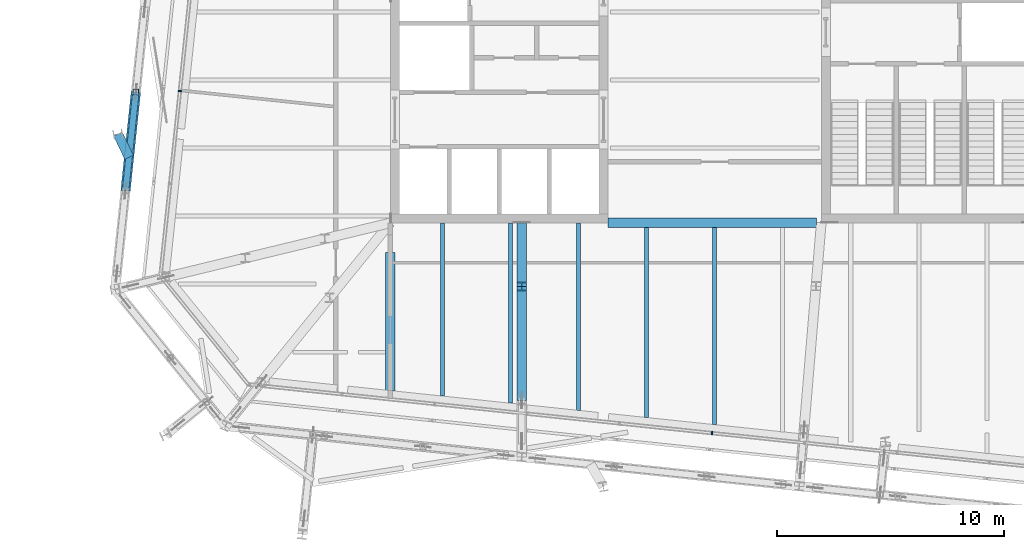
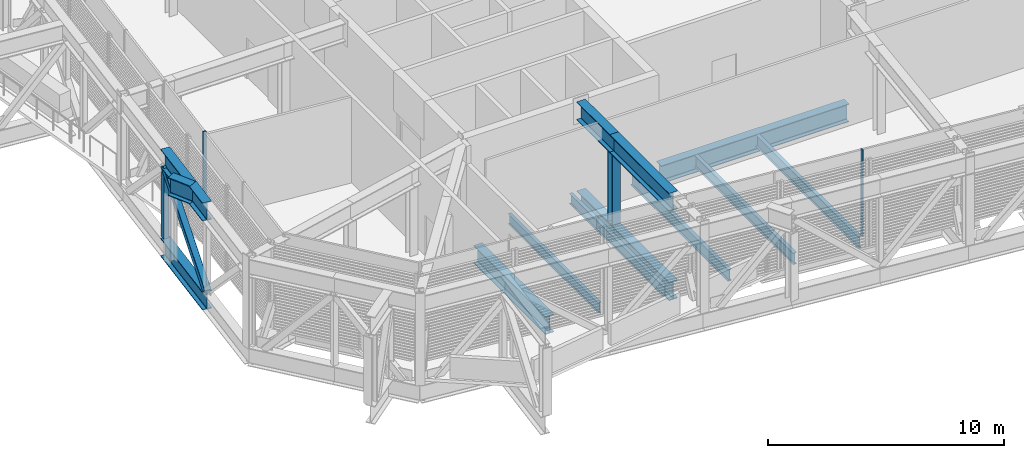
# One storey, part 6 of 36: 14 beams, 5 members, 2 elements without a shape of their own.
"""IFC4 building model written with IfcOpenShell, lengths in metres."""

from ifc_helpers import new_model, si_unit, direction, frame, origin, origin_2d, place, context, subcontext, project, spatial, rectangle, hollow_rectangle, i_section, extrude, material, layer, layer_set, material_profile, profile_set, type_object, element, aggregate, save


model = new_model("IFC4")

# Units and contexts
model_context = context("Model", 3, precision=1e-05, world=origin(), true_north=direction((0.0, 1.0)))
body_context = subcontext(model_context, "Body", "Model", "MODEL_VIEW")
ifc_project = project(units=[si_unit("LENGTHUNIT", "METRE"), si_unit("AREAUNIT", "SQUARE_METRE"), si_unit("VOLUMEUNIT", "CUBIC_METRE"), si_unit("PLANEANGLEUNIT", "RADIAN"), si_unit("MASSUNIT", "GRAM", prefix="KILO")], contexts=[model_context])

# Site, building, storey
site_placement = place(None, origin())
site = spatial("IfcSite", under=ifc_project, at=site_placement, CompositionType="ELEMENT")
building_placement = place(site_placement, origin())
building = spatial("IfcBuilding", under=site, at=building_placement, Name="Millrace Tower", CompositionType="ELEMENT")
storey_placement = place(building_placement, frame((0.0, 0.0, 271.39990234375)))
storey = spatial("IfcBuildingStorey", under=building, at=storey_placement, Name="L62", CompositionType="ELEMENT", Elevation=271.39990234375)

# Curtain wall, member
ifc_material_1 = material(Name="Aluminium and glass", Category="aluminium")
ifc_layer = layer(ifc_material_1, 0.14990234375)
ifc_layer_set = layer_set([ifc_layer], Name="Aluminium and glass")
curtain_wall_type = type_object("IfcCurtainWallType", Name="CW-5 truss and plant storey louvred infill", PredefinedType="NOTDEFINED", material=ifc_layer_set)
placement = place(storey_placement, origin())
curtain_wall_1 = element("IfcCurtainWall", 1, at=placement, inside=storey, type_object=curtain_wall_type, Name="Curtain wall E-F02 L62", PredefinedType="NOTDEFINED")
ifc_material_2 = material(Name="Aluminium", Category="aluminium")
ifc_material_profile_1 = material_profile(ifc_material_2, rectangle(XDim=0.06494140625, YDim=0.14990234375, at=origin_2d()))
ifc_profile_set_1 = profile_set([ifc_material_profile_1], Name="Aluminium")
member_type_1 = type_object("IfcMemberType", Name="CW-5 truss and plant storey louvred infill mullion", PredefinedType="MULLION", material=ifc_profile_set_1)
member_1_placement = place(storey_placement, frame((-0.11474609375, -18.567626953125, 0.14013671875), z_axis=(0.0, 0.0, 1.0), x_axis=(0.994521896217, -0.104528455196, 0.0)))
member_1 = element("IfcMember", 2, at=member_1_placement, type_object=member_type_1, Name="CW5 mullion E-F02.6", PredefinedType="MULLION", context=body_context, shape_type="SweptSolid", body=[
    extrude(rectangle(XDim=0.06494140625, YDim=0.14990234375, at=origin_2d()), origin(), (0.0, 0.0, 1.0), 4.4599609375),
])
aggregate(curtain_wall_1, [member_1])

curtain_wall_2 = element("IfcCurtainWall", 3, at=placement, inside=storey, type_object=curtain_wall_type, Name="Curtain wall E-F08 L62", PredefinedType="NOTDEFINED")
member_2_placement = place(storey_placement, frame((-23.57470703125, -3.490234375, 0.14013671875), z_axis=(0.0, 0.0, 1.0), x_axis=(-0.104528455196, -0.994521896217, 0.0)))
member_2 = element("IfcMember", 4, at=member_2_placement, type_object=member_type_1, Name="CW5 mullion E-F08.8", PredefinedType="MULLION", context=body_context, shape_type="SweptSolid", body=[
    extrude(rectangle(XDim=0.06494140625, YDim=0.14990234375, at=origin_2d()), origin(), (0.0, 0.0, 1.0), 4.4599609375),
])
aggregate(curtain_wall_2, [member_2])

# Beams
ifc_material_3 = material(Name="Steel ASTM A992 Grade 50", Category="steel")
ifc_material_profile_2 = material_profile(ifc_material_3, i_section(OverallWidth=0.1650390625, OverallDepth=0.52587890625, WebThickness=0.0087890625, FlangeThickness=0.011474609375, FilletRadius=0.0126953125, at=origin_2d()))
ifc_profile_set_2 = profile_set([ifc_material_profile_2], Name="Steel ASTM A992 Grade 50")
beam_type_1 = type_object("IfcBeamType", Name="Floor beam W21x44", PredefinedType="JOIST", material=ifc_profile_set_2)
beam_1_placement = place(storey_placement, frame((-12.0, -16.93408203125, -0.4228515625), z_axis=(0.0, 1.0, 0.0), x_axis=(-1.0, 0.0, 0.0)))
element("IfcBeam", 5, at=beam_1_placement, inside=storey, type_object=beam_type_1, Name="BM-E-L62-S1-S037", PredefinedType="JOIST", context=body_context, shape_type="SweptSolid", body=[
    extrude(i_section(OverallWidth=0.1650390625, OverallDepth=0.52587890625, WebThickness=0.0087890625, FlangeThickness=0.011474609375, FilletRadius=0.0126953125, at=origin_2d()), origin(), (0.0, 0.0, 1.0), 7.634033203125),
])
beam_2_placement = place(storey_placement, frame((-9.0, -17.249267578125, -0.4228515625), z_axis=(0.0, 1.0, 0.0), x_axis=(-1.0, 0.0, 0.0)))
element("IfcBeam", 6, at=beam_2_placement, inside=storey, type_object=beam_type_1, Name="BM-E-L62-S1-S039", PredefinedType="JOIST", context=body_context, shape_type="SweptSolid", body=[
    extrude(i_section(OverallWidth=0.1650390625, OverallDepth=0.52587890625, WebThickness=0.0087890625, FlangeThickness=0.011474609375, FilletRadius=0.0126953125, at=origin_2d()), origin(), (0.0, 0.0, 1.0), 7.94921875),
])
ifc_material_4 = material(Name="Steel ASTM A992 Grade 50", Category="steel")
ifc_material_profile_3 = material_profile(ifc_material_4, i_section(OverallWidth=0.177978515625, OverallDepth=0.599365234375, WebThickness=0.010009765625, FlangeThickness=0.012939453125, FilletRadius=0.012939453125, at=origin_2d()))
ifc_profile_set_3 = profile_set([ifc_material_profile_3], Name="Steel ASTM A992 Grade 50")
beam_type_2 = type_object("IfcBeamType", Name="Floor beam W24x55", PredefinedType="JOIST", material=ifc_profile_set_3)
beam_3_placement = place(storey_placement, frame((-6.0, -17.564697265625, -0.459716796875), z_axis=(0.0, 1.0, 0.0), x_axis=(-1.0, 0.0, 0.0)))
element("IfcBeam", 7, at=beam_3_placement, inside=storey, type_object=beam_type_2, Name="BM-E-L62-S1-S041", PredefinedType="JOIST", context=body_context, shape_type="SweptSolid", body=[
    extrude(i_section(OverallWidth=0.177978515625, OverallDepth=0.599365234375, WebThickness=0.010009765625, FlangeThickness=0.012939453125, FilletRadius=0.012939453125, at=origin_2d()), origin(), (0.0, 0.0, 1.0), 8.2646484375),
])
beam_4_placement = place(storey_placement, frame((-3.0, -17.8798828125, -0.459716796875), z_axis=(0.0, 1.0, 0.0), x_axis=(-1.0, 0.0, 0.0)))
element("IfcBeam", 8, at=beam_4_placement, inside=storey, type_object=beam_type_2, Name="BM-E-L62-S1-S043", PredefinedType="JOIST", context=body_context, shape_type="SweptSolid", body=[
    extrude(i_section(OverallWidth=0.177978515625, OverallDepth=0.599365234375, WebThickness=0.010009765625, FlangeThickness=0.012939453125, FilletRadius=0.012939453125, at=origin_2d()), origin(), (0.0, 0.0, 1.0), 8.370361328125),
])
beam_5_placement = place(storey_placement, frame((0.0, -18.1953125, -0.459716796875), z_axis=(0.0, 1.0, 0.0), x_axis=(-1.0, 0.0, 0.0)))
element("IfcBeam", 9, at=beam_5_placement, inside=storey, type_object=beam_type_2, Name="BM-E-L62-S1-S045", PredefinedType="JOIST", context=body_context, shape_type="SweptSolid", body=[
    extrude(i_section(OverallWidth=0.177978515625, OverallDepth=0.599365234375, WebThickness=0.010009765625, FlangeThickness=0.012939453125, FilletRadius=0.012939453125, at=origin_2d()), origin(), (0.0, 0.0, 1.0), 8.685791015625),
])
ifc_material_5 = material(Name="Steel ASTM A992 Grade 50", Category="steel")
ifc_material_profile_4 = material_profile(ifc_material_5, i_section(OverallWidth=0.419189453125, OverallDepth=0.927001953125, WebThickness=0.019287109375, FlangeThickness=0.031982421875, FilletRadius=0.024169921875, at=origin_2d()))
ifc_profile_set_4 = profile_set([ifc_material_profile_4], Name="Steel ASTM A992 Grade 50")
beam_type_3 = type_object("IfcBeamType", Name="Girder short span W36x231", PredefinedType="BEAM", material=ifc_profile_set_4)
beam_6_placement = place(storey_placement, frame((-4.696044921875, -9.300048828125, -0.62353515625), z_axis=(1.0, 0.0, 0.0), x_axis=(0.0, 1.0, 0.0)))
element("IfcBeam", 10, at=beam_6_placement, inside=storey, type_object=beam_type_3, Name="BM-E-L62-S1-G059", PredefinedType="BEAM", context=body_context, shape_type="SweptSolid", body=[
    extrude(i_section(OverallWidth=0.419189453125, OverallDepth=0.927001953125, WebThickness=0.019287109375, FlangeThickness=0.031982421875, FilletRadius=0.024169921875, at=origin_2d()), origin(), (0.0, 0.0, 1.0), 9.18310546875),
])
beam_7_placement = place(storey_placement, frame((-14.300048828125, -16.6923828125, -0.62353515625), z_axis=(0.0, 1.0, 0.0), x_axis=(-1.0, 0.0, 0.0)))
element("IfcBeam", 11, at=beam_7_placement, inside=storey, type_object=beam_type_3, Name="BM-E-L62-S1-G055", PredefinedType="BEAM", context=body_context, shape_type="SweptSolid", body=[
    extrude(i_section(OverallWidth=0.419189453125, OverallDepth=0.927001953125, WebThickness=0.019287109375, FlangeThickness=0.031982421875, FilletRadius=0.024169921875, at=origin_2d()), origin(), (0.0, 0.0, 1.0), 6.08984375),
])

# Member
ifc_material_6 = material(Name="Steel ASTM A992 Grade 50", Category="steel")
ifc_material_profile_5 = material_profile(ifc_material_6, i_section(OverallWidth=0.4013671875, OverallDepth=0.398681640625, WebThickness=0.02490234375, FlangeThickness=0.03955078125, FilletRadius=0.01513671875, at=origin_2d()))
ifc_profile_set_5 = profile_set([ifc_material_profile_5], Name="Steel ASTM A992 Grade 50")
member_type_2 = type_object("IfcMemberType", Name="Transfer truss Vierendeel moment post W14x211", PredefinedType="POST", material=ifc_profile_set_5)
member_3_placement = place(storey_placement, frame((-8.50341796875, -12.10009765625, -0.159912109375), z_axis=(0.0, 0.0, 1.0), x_axis=(1.0, 0.0, 0.0)))
element("IfcMember", 12, at=member_3_placement, inside=storey, type_object=member_type_2, Name="TRS-L62-C03-V02", PredefinedType="POST", context=body_context, shape_type="SweptSolid", body=[
    extrude(i_section(OverallWidth=0.4013671875, OverallDepth=0.398681640625, WebThickness=0.02490234375, FlangeThickness=0.03955078125, FilletRadius=0.01513671875, at=origin_2d()), origin(), (0.0, 0.0, 1.0), 3.652587890625),
])

# Beams
ifc_material_7 = material(Name="Steel ASTM A992 Grade 50", Category="steel")
ifc_material_profile_6 = material_profile(ifc_material_7, i_section(OverallWidth=0.424072265625, OverallDepth=0.947509765625, WebThickness=0.02392578125, FlangeThickness=0.042724609375, FilletRadius=0.024169921875, at=origin_2d()))
ifc_profile_set_6 = profile_set([ifc_material_profile_6], Name="Steel ASTM A992 Grade 50")
beam_type_4 = type_object("IfcBeamType", Name="Transfer truss chord W36x302", PredefinedType="BEAM", material=ifc_profile_set_6)
for number, where, z_axis, x_axis, name in (
    (13, (-25.5146484375, -3.531494140625, -0.633544921875), (-0.104551192336, -0.994519506184, 0.0), (0.994519506184, -0.104551192336, 0.0), "TRS-L62-R16-B02"),
    (14, (-25.5146484375, -3.531494140625, 3.96630859375), (-0.104551192336, -0.994519506184, 0.0), (0.994519506184, -0.104551192336, 0.0), "TRS-L62-R16-T02"),
):
    element("IfcBeam", number, at=place(storey_placement, frame(where, z_axis=z_axis, x_axis=x_axis)), inside=storey, type_object=beam_type_4, Name=name, PredefinedType="BEAM", context=body_context, shape_type="SweptSolid", body=[
        extrude(i_section(OverallWidth=0.424072265625, OverallDepth=0.947509765625, WebThickness=0.02392578125, FlangeThickness=0.042724609375, FilletRadius=0.024169921875, at=origin_2d()), origin(), (0.0, 0.0, 1.0), 4.3759765625),
    ])
for number, where, z_axis, x_axis, name in (
    (15, (-8.50341796875, -17.12158203125, -0.633544921875), (0.0, 1.0, 0.0), (-1.0, 0.0, 0.0), "TRS-L62-C03-B02"),
    (16, (-8.50341796875, -17.12158203125, 3.96630859375), (0.0, 1.0, 0.0), (-1.0, 0.0, 0.0), "TRS-L62-C03-T02"),
):
    element("IfcBeam", number, at=place(storey_placement, frame(where, z_axis=z_axis, x_axis=x_axis)), inside=storey, type_object=beam_type_4, Name=name, PredefinedType="BEAM", context=body_context, shape_type="SweptSolid", body=[
        extrude(i_section(OverallWidth=0.424072265625, OverallDepth=0.947509765625, WebThickness=0.02392578125, FlangeThickness=0.042724609375, FilletRadius=0.024169921875, at=origin_2d()), origin(), (0.0, 0.0, 1.0), 5.021484375),
    ])
for number, where, z_axis, x_axis, name in (
    (17, (-8.50341796875, -12.10009765625, -0.633544921875), (0.0, 1.0, 0.0), (-1.0, 0.0, 0.0), "TRS-L62-C03-B03"),
    (18, (-8.50341796875, -12.10009765625, 3.96630859375), (0.0, 1.0, 0.0), (-1.0, 0.0, 0.0), "TRS-L62-C03-T03"),
):
    element("IfcBeam", number, at=place(storey_placement, frame(where, z_axis=z_axis, x_axis=x_axis)), inside=storey, type_object=beam_type_4, Name=name, PredefinedType="BEAM", context=body_context, shape_type="SweptSolid", body=[
        extrude(i_section(OverallWidth=0.424072265625, OverallDepth=0.947509765625, WebThickness=0.02392578125, FlangeThickness=0.042724609375, FilletRadius=0.024169921875, at=origin_2d()), origin(), (0.0, 0.0, 1.0), 2.800048828125),
    ])
beam_8_placement = place(storey_placement, frame((-26.306640625, -5.38330078125, 3.96630859375), z_axis=(0.430558651795, -0.902562600247, 0.0), x_axis=(0.902562600247, 0.430558651795, 0.0)))
element("IfcBeam", 19, at=beam_8_placement, inside=storey, type_object=beam_type_4, Name="TRS-L62-D-X16-TIE", PredefinedType="BEAM", context=body_context, shape_type="SweptSolid", body=[
    extrude(i_section(OverallWidth=0.424072265625, OverallDepth=0.947509765625, WebThickness=0.02392578125, FlangeThickness=0.042724609375, FilletRadius=0.024169921875, at=origin_2d()), origin(), (0.0, 0.0, 1.0), 1.136962890625),
])

# Members
ifc_material_8 = material(Name="Steel ASTM A500 Grade C", Category="steel")
ifc_material_profile_7 = material_profile(ifc_material_8, hollow_rectangle(XDim=0.3046875, YDim=0.3046875, WallThickness=0.0126953125, InnerFilletRadius=0.00634765625, OuterFilletRadius=0.01904296875, at=origin_2d()))
ifc_profile_set_7 = profile_set([ifc_material_profile_7], Name="Steel ASTM A500 Grade C")
member_type_3 = type_object("IfcMemberType", Name="Transfer truss diagonal HSS12x12x1/2", PredefinedType="BRACE", material=ifc_profile_set_7)
member_4_placement = place(storey_placement, frame((-25.97216796875, -7.883544921875, -0.159912109375), z_axis=(0.080265264692, 0.763505127219, 0.640794357025), x_axis=(-0.994519506184, 0.104551192336, 0.0)))
element("IfcMember", 20, at=member_4_placement, inside=storey, type_object=member_type_3, Name="TRS-L62-R16-D02", PredefinedType="BRACE", context=body_context, shape_type="SweptSolid", body=[
    extrude(hollow_rectangle(XDim=0.3046875, YDim=0.3046875, WallThickness=0.0126953125, InnerFilletRadius=0.00634765625, OuterFilletRadius=0.01904296875, at=origin_2d()), origin(), (0.0, 0.0, 1.0), 5.7001953125),
])
ifc_material_9 = material(Name="Steel ASTM A500 Grade C", Category="steel")
ifc_material_profile_8 = material_profile(ifc_material_9, hollow_rectangle(XDim=0.25390625, YDim=0.25390625, WallThickness=0.0126953125, InnerFilletRadius=0.00634765625, OuterFilletRadius=0.01904296875, at=origin_2d()))
ifc_profile_set_8 = profile_set([ifc_material_profile_8], Name="Steel ASTM A500 Grade C")
member_type_4 = type_object("IfcMemberType", Name="Transfer truss post HSS10x10x1/2", PredefinedType="POST", material=ifc_profile_set_8)
member_5_placement = place(storey_placement, frame((-25.5146484375, -3.531494140625, -0.159912109375), z_axis=(0.0, 0.0, 1.0), x_axis=(1.0, 0.0, 0.0)))
element("IfcMember", 21, at=member_5_placement, inside=storey, type_object=member_type_4, Name="TRS-L62-R16-V01", PredefinedType="POST", context=body_context, shape_type="SweptSolid", body=[
    extrude(hollow_rectangle(XDim=0.25390625, YDim=0.25390625, WallThickness=0.0126953125, InnerFilletRadius=0.00634765625, OuterFilletRadius=0.01904296875, at=origin_2d()), origin(), (0.0, 0.0, 1.0), 3.652587890625),
])

save(model, "model.ifc")
